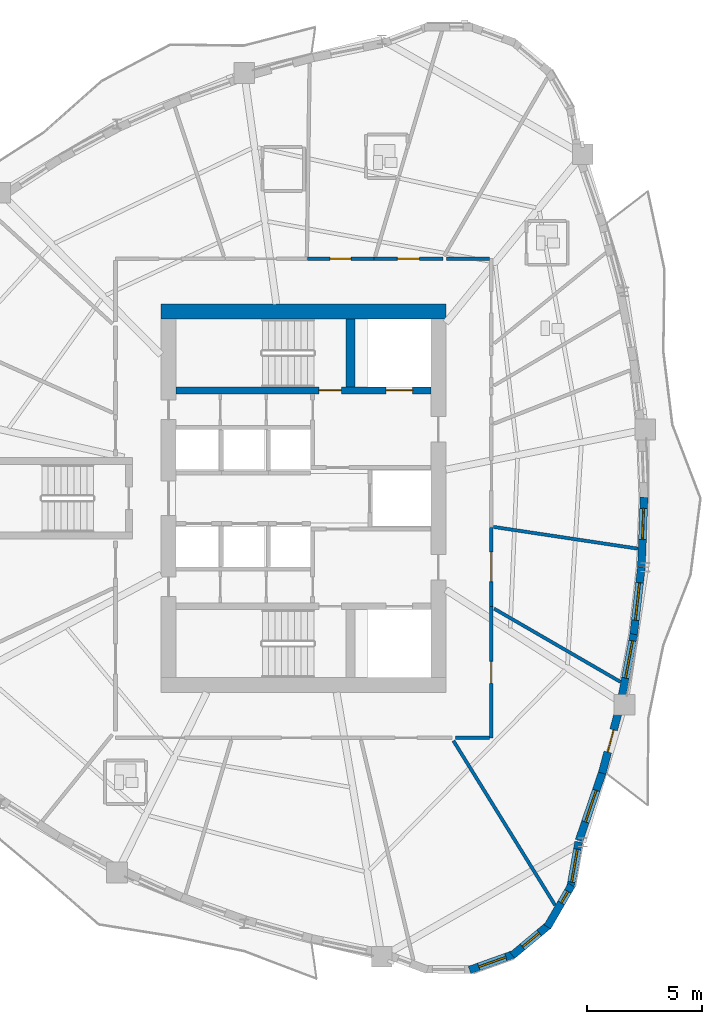
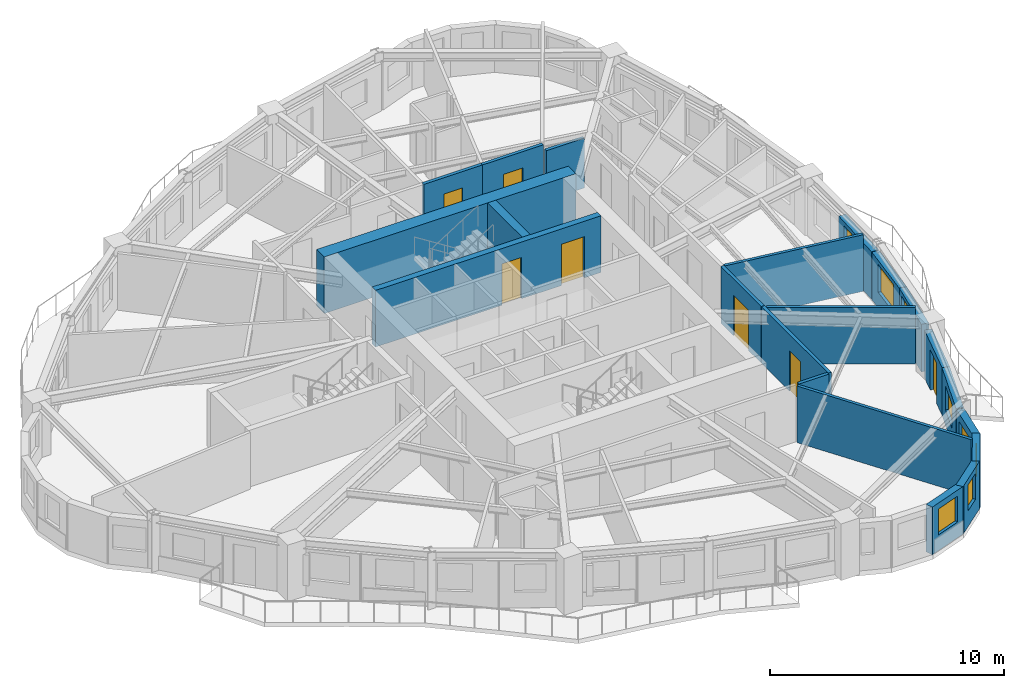
# One storey, part 6 of 12: 21 walls, 8 windows, 7 doors, 15 openings.
"""IFC4 building model written with IfcOpenShell, lengths in metres."""

from ifc_helpers import new_model, si_unit, direction, frame, frame_2d, origin, place, context, subcontext, project, spatial, rectangle, extrude, source, transform, mapped, material, layer, layer_set, type_object, element, fill, save


model = new_model("IFC4")

# Units and contexts
model_context = context("Model", 3, precision=1e-05, world=origin(), true_north=direction((0.0, 1.0)))
body_context = subcontext(model_context, "Body", "Model", "MODEL_VIEW")
ifc_project = project(units=[si_unit("LENGTHUNIT", "METRE"), si_unit("AREAUNIT", "SQUARE_METRE"), si_unit("VOLUMEUNIT", "CUBIC_METRE"), si_unit("PLANEANGLEUNIT", "RADIAN"), si_unit("MASSUNIT", "GRAM", prefix="KILO")], contexts=[model_context])

# Site, building, storey
site_placement = place(None, origin())
site = spatial("IfcSite", under=ifc_project, at=site_placement, CompositionType="ELEMENT")
building_placement = place(site_placement, origin())
building = spatial("IfcBuilding", under=site, at=building_placement, Name="Qafzar Sky-Pleat Residences", CompositionType="ELEMENT")
storey_placement = place(building_placement, frame((0.0, 0.0, 92.800048828125)))
storey = spatial("IfcBuildingStorey", under=building, at=storey_placement, Name="L27", CompositionType="ELEMENT", Elevation=92.800048828125)

# Wall, opening, door
ifc_material_1 = material(Name="Acoustic gypsum plasterboard partition", Category="gypsum")
ifc_layer_1 = layer(ifc_material_1, 0.159912109375)
ifc_layer_set_1 = layer_set([ifc_layer_1], Name="Acoustic gypsum plasterboard partition")
wall_type_1 = type_object("IfcWallType", Name="PART-COR-160", PredefinedType="PARTITIONING", material=ifc_layer_set_1)
wall_1_placement = place(storey_placement, frame((38.530029296875, 21.281005859375, 0.0), z_axis=(0.0, 0.0, 1.0), x_axis=(0.0, -1.0, 0.0)))
wall_1 = element("IfcWall", 1, at=wall_1_placement, inside=storey, type_object=wall_type_1, Name="L27 Partition Wall PART-L27-PW-002", PredefinedType="PARTITIONING", context=body_context, shape_type="SweptSolid", body=[
    extrude(rectangle(XDim=5.7109375, YDim=0.159912109375, at=frame_2d((2.85546875, 0.0))), origin(), (0.0, 0.0, 1.0), 2.949951171875),
])
opening_1_placement = place(wall_1_placement, frame((2.384033203125, 0.0, 0.0)))
opening_1 = element("IfcOpeningElement", 2, at=opening_1_placement, cuts=wall_1, Name="Opening ID-06", PredefinedType="OPENING", context=body_context, shape_type="SweptSolid", body=[
    extrude(rectangle(XDim=0.9599609375, YDim=2.10009765625, at=frame_2d((0.47998046875, 1.050048828125))), frame((0.0, 0.08984375, 0.0), z_axis=(0.0, -1.0, 0.0), x_axis=(1.0, 0.0, 0.0)), (0.0, 0.0, 1.0), 0.179931640625),
])
ifc_material_2 = material(Name="Timber-faced fire door", Category="wood")
door_type_1 = type_object("IfcDoorType", Name="DR-STD-960", OperationType="NOTDEFINED", PredefinedType="DOOR", material=ifc_material_2)
shared_shape_1 = source(origin(), body_context, "Body", "SweptSolid", [
    extrude(rectangle(XDim=0.9599609375, YDim=2.10009765625, at=frame_2d((0.47998046875, 1.050048828125))), frame((0.0, 0.02490234375, 0.0), z_axis=(0.0, -1.0, 0.0), x_axis=(1.0, 0.0, 0.0)), (0.0, 0.0, 1.0), 0.050048828125),
])
door_1_placement = place(opening_1_placement, origin())
door_1 = element("IfcDoor", 3, at=door_1_placement, inside=storey, type_object=door_type_1, Name="L27 Faculty Research Office Door", OperationType="SINGLE_SWING_RIGHT", OverallHeight=2.10009765625, OverallWidth=0.9599609375, PredefinedType="DOOR", context=body_context, shape_type="MappedRepresentation", body=[
    mapped(shared_shape_1, transform((0.0, 0.0, 0.0), x_axis=(1.0, 0.0, 0.0), y_axis=(0.0, 1.0, 0.0), z_axis=(0.0, 0.0, 1.0), scale=1.0)),
])
fill(opening_1, door_1)

wall_2_placement = place(storey_placement, frame((38.530029296875, 24.738037109375, 0.0), z_axis=(0.0, 0.0, 1.0), x_axis=(0.0, -1.0, 0.0)))
wall_2 = element("IfcWall", 4, at=wall_2_placement, inside=storey, type_object=wall_type_1, Name="L27 Partition Wall PART-L27-PW-011", PredefinedType="PARTITIONING", context=body_context, shape_type="SweptSolid", body=[
    extrude(rectangle(XDim=3.442138671875, YDim=0.159912109375, at=frame_2d((1.72119140625, 0.0))), origin(), (0.0, 0.0, 1.0), 2.949951171875),
])
opening_2_placement = place(wall_2_placement, frame((1.072021484375, 0.0, 0.0)))
opening_2 = element("IfcOpeningElement", 5, at=opening_2_placement, cuts=wall_2, Name="Opening ID-05", PredefinedType="OPENING", context=body_context, shape_type="SweptSolid", body=[
    extrude(rectangle(XDim=1.300048828125, YDim=2.10009765625, at=frame_2d((0.64990234375, 1.050048828125))), frame((0.0, 0.08984375, 0.0), z_axis=(0.0, -1.0, 0.0), x_axis=(1.0, 0.0, 0.0)), (0.0, 0.0, 1.0), 0.179931640625),
])
door_type_2 = type_object("IfcDoorType", Name="DR-LNG-1300", OperationType="DOUBLE_DOOR_SINGLE_SWING", PredefinedType="DOOR", material=ifc_material_2)
shared_shape_2 = source(origin(), body_context, "Body", "SweptSolid", [
    extrude(rectangle(XDim=1.300048828125, YDim=2.10009765625, at=frame_2d((0.64990234375, 1.050048828125))), frame((0.0, 0.02490234375, 0.0), z_axis=(0.0, -1.0, 0.0), x_axis=(1.0, 0.0, 0.0)), (0.0, 0.0, 1.0), 0.050048828125),
])
door_2_placement = place(opening_2_placement, origin())
door_2 = element("IfcDoor", 6, at=door_2_placement, inside=storey, type_object=door_type_2, Name="L27 Communal Kitchen Door", OperationType="DOUBLE_DOOR_SINGLE_SWING", OverallHeight=2.10009765625, OverallWidth=1.300048828125, PredefinedType="DOOR", context=body_context, shape_type="MappedRepresentation", body=[
    mapped(shared_shape_2, transform((0.0, 0.0, 0.0), x_axis=(1.0, 0.0, 0.0), y_axis=(0.0, 1.0, 0.0), z_axis=(0.0, 0.0, 1.0), scale=1.0)),
])
fill(opening_2, door_2)

wall_3_placement = place(storey_placement, frame((33.427978515625, 36.429931640625, 0.0), z_axis=(0.0, 0.0, 1.0), x_axis=(1.0, 0.0, 0.0)))
wall_3 = element("IfcWall", 7, at=wall_3_placement, inside=storey, type_object=wall_type_1, Name="L27 Partition Wall PART-L27-PW-012", PredefinedType="PARTITIONING", context=body_context, shape_type="SweptSolid", body=[
    extrude(rectangle(XDim=2.991943359375, YDim=0.159912109375, at=frame_2d((1.49609375, 0.0))), origin(), (0.0, 0.0, 1.0), 2.949951171875),
])
opening_3_placement = place(wall_3_placement, frame((1.015380859375, 0.0, 0.0)))
opening_3 = element("IfcOpeningElement", 8, at=opening_3_placement, cuts=wall_3, Name="Opening ID-06", PredefinedType="OPENING", context=body_context, shape_type="SweptSolid", body=[
    extrude(rectangle(XDim=0.9599609375, YDim=2.10009765625, at=frame_2d((0.47998046875, 1.050048828125))), frame((0.0, 0.08984375, 0.0), z_axis=(0.0, -1.0, 0.0), x_axis=(1.0, 0.0, 0.0)), (0.0, 0.0, 1.0), 0.179931640625),
])
door_3_placement = place(opening_3_placement, origin())
door_3 = element("IfcDoor", 9, at=door_3_placement, inside=storey, type_object=door_type_1, Name="L27 Reading Library Door", OperationType="SINGLE_SWING_LEFT", OverallHeight=2.10009765625, OverallWidth=0.9599609375, PredefinedType="DOOR", context=body_context, shape_type="MappedRepresentation", body=[
    mapped(shared_shape_1, transform((0.0, 0.0, 0.0), x_axis=(1.0, 0.0, 0.0), y_axis=(0.0, 1.0, 0.0), z_axis=(0.0, 0.0, 1.0), scale=1.0)),
])
fill(opening_3, door_3)

wall_4_placement = place(storey_placement, frame((30.529052734375, 36.429931640625, 0.0), z_axis=(0.0, 0.0, 1.0), x_axis=(1.0, 0.0, 0.0)))
wall_4 = element("IfcWall", 10, at=wall_4_placement, inside=storey, type_object=wall_type_1, Name="L27 Partition Wall PART-L27-PW-013", PredefinedType="PARTITIONING", context=body_context, shape_type="SweptSolid", body=[
    extrude(rectangle(XDim=2.884033203125, YDim=0.159912109375, at=frame_2d((1.44189453125, 0.0))), origin(), (0.0, 0.0, 1.0), 2.949951171875),
])
opening_4_placement = place(wall_4_placement, frame((0.982421875, 0.0, 0.0)))
opening_4 = element("IfcOpeningElement", 11, at=opening_4_placement, cuts=wall_4, Name="Opening ID-04", PredefinedType="OPENING", context=body_context, shape_type="SweptSolid", body=[
    extrude(rectangle(XDim=0.919921875, YDim=2.10009765625, at=frame_2d((0.4599609375, 1.050048828125))), frame((0.0, 0.08984375, 0.0), z_axis=(0.0, -1.0, 0.0), x_axis=(1.0, 0.0, 0.0)), (0.0, 0.0, 1.0), 0.179931640625),
])
door_type_3 = type_object("IfcDoorType", Name="DR-BED-920", OperationType="NOTDEFINED", PredefinedType="DOOR", material=ifc_material_2)
shared_shape_3 = source(origin(), body_context, "Body", "SweptSolid", [
    extrude(rectangle(XDim=0.919921875, YDim=2.10009765625, at=frame_2d((0.4599609375, 1.050048828125))), frame((0.0, 0.02490234375, 0.0), z_axis=(0.0, -1.0, 0.0), x_axis=(1.0, 0.0, 0.0)), (0.0, 0.0, 1.0), 0.050048828125),
])
door_4_placement = place(opening_4_placement, origin())
door_4 = element("IfcDoor", 12, at=door_4_placement, inside=storey, type_object=door_type_3, Name="L27 Co-Living Bedroom 3 Door", OperationType="SINGLE_SWING_RIGHT", OverallHeight=2.10009765625, OverallWidth=0.919921875, PredefinedType="DOOR", context=body_context, shape_type="MappedRepresentation", body=[
    mapped(shared_shape_3, transform((0.0, 0.0, 0.0), x_axis=(1.0, 0.0, 0.0), y_axis=(0.0, 1.0, 0.0), z_axis=(0.0, 0.0, 1.0), scale=1.0)),
])
fill(opening_4, door_4)

# Walls
wall_5_placement = place(storey_placement, frame((36.5732421875, 36.429931640625, 0.0), z_axis=(0.0, 0.0, 1.0), x_axis=(1.0, 0.0, 0.0)))
element("IfcWall", 13, at=wall_5_placement, inside=storey, type_object=wall_type_1, Name="L27 Partition Wall PART-L27-PW-041", PredefinedType="PARTITIONING", context=body_context, shape_type="SweptSolid", body=[
    extrude(rectangle(XDim=1.86865234375, YDim=0.159912109375, at=frame_2d((0.934326171875, 0.0))), origin(), (0.0, 0.0, 1.0), 2.587890625),
])
wall_6_placement = place(storey_placement, frame((36.976806640625, 15.570068359375, 0.0), z_axis=(0.0, 0.0, 1.0), x_axis=(1.0, 0.0, 0.0)))
element("IfcWall", 14, at=wall_6_placement, inside=storey, type_object=wall_type_1, Name="L27 Partition Wall PART-L27-PW-052", PredefinedType="PARTITIONING", context=body_context, shape_type="SweptSolid", body=[
    extrude(rectangle(XDim=1.465087890625, YDim=0.159912109375, at=frame_2d((0.732421875, 0.0))), origin(), (0.0, 0.0, 1.0), 2.949951171875),
])
ifc_layer_2 = layer(ifc_material_1, 0.14501953125)
ifc_layer_set_2 = layer_set([ifc_layer_2], Name="Acoustic gypsum plasterboard partition")
wall_type_2 = type_object("IfcWallType", Name="PART-UNIT-145", PredefinedType="PARTITIONING", material=ifc_layer_set_2)
wall_7_placement = place(storey_placement, frame((36.87841796875, 15.445068359375, 0.0), z_axis=(0.0, 0.0, 1.0), x_axis=(0.526001305793, -0.850483760165, 0.0)))
element("IfcWall", 15, at=wall_7_placement, inside=storey, type_object=wall_type_2, Name="L27 Partition Wall PART-L27-PW-026", PredefinedType="PARTITIONING", context=body_context, shape_type="SweptSolid", body=[
    extrude(rectangle(XDim=8.42236328125, YDim=0.14501953125, at=frame_2d((4.211181640625, 0.0))), origin(), (0.0, 0.0, 1.0), 2.949951171875),
])
wall_8_placement = place(storey_placement, frame((38.6533203125, 21.192626953125, 0.0), z_axis=(0.0, 0.0, 1.0), x_axis=(0.865364941279, -0.501142213753, 0.0)))
element("IfcWall", 16, at=wall_8_placement, inside=storey, type_object=wall_type_2, Name="L27 Partition Wall PART-L27-PW-034", PredefinedType="PARTITIONING", context=body_context, shape_type="SweptSolid", body=[
    extrude(rectangle(XDim=6.358642578125, YDim=0.14501953125, at=frame_2d((3.17919921875, 0.0))), origin(), (0.0, 0.0, 1.0), 2.949951171875),
])
wall_9_placement = place(storey_placement, frame((38.628662109375, 24.753173828125, 0.0), z_axis=(0.0, 0.0, 1.0), x_axis=(0.988841427723, -0.148971912852, 0.0)))
element("IfcWall", 17, at=wall_9_placement, inside=storey, type_object=wall_type_2, Name="L27 Partition Wall PART-L27-PW-035", PredefinedType="PARTITIONING", context=body_context, shape_type="SweptSolid", body=[
    extrude(rectangle(XDim=6.35205078125, YDim=0.14501953125, at=frame_2d((3.176025390625, 0.0))), origin(), (0.0, 0.0, 1.0), 2.949951171875),
])

# Wall, opening, window
ifc_material_3 = material(Name="Precast concrete C40/50 with honed Riyadh limestone", Category="concrete")
ifc_layer_3 = layer(ifc_material_3, 0.340087890625)
ifc_layer_set_3 = layer_set([ifc_layer_3], Name="Precast concrete C40/50 with honed Riyadh limestone")
wall_type_3 = type_object("IfcWallType", Name="WALL-EXT-340", PredefinedType="SOLIDWALL", material=ifc_layer_set_3)
wall_10_placement = place(storey_placement, frame((37.58447265625, 5.458251953125, 0.0), z_axis=(0.0, 0.0, 1.0), x_axis=(0.941473186867, 0.33708787936, 0.0)))
wall_10 = element("IfcWall", 18, at=wall_10_placement, inside=storey, type_object=wall_type_3, Name="L27 Limestone Facade Wall 19", PredefinedType="SOLIDWALL", context=body_context, shape_type="SweptSolid", body=[
    extrude(rectangle(XDim=2.098876953125, YDim=0.340087890625, at=frame_2d((1.04931640625, 0.0))), origin(), (0.0, 0.0, 1.0), 2.47998046875),
])
opening_5_placement = place(wall_10_placement, frame((0.424560546875, 0.0, 0.820068359375)))
opening_5 = element("IfcOpeningElement", 19, at=opening_5_placement, cuts=wall_10, Name="Opening WN-11", PredefinedType="OPENING", context=body_context, shape_type="SweptSolid", body=[
    extrude(rectangle(XDim=1.25, YDim=1.35009765625, at=frame_2d((0.625, 0.675048828125))), frame((0.0, 0.18017578125, 0.0), z_axis=(0.0, -1.0, 0.0), x_axis=(1.0, 0.0, 0.0)), (0.0, 0.0, 1.0), 0.360107421875),
])
ifc_material_4 = material(Name="Solar-control low-E glass in bronze aluminium frame", Category="glass")
window_type_1 = type_object("IfcWindowType", Name="WIN-11", PartitioningType="SINGLE_PANEL", PredefinedType="WINDOW", material=ifc_material_4)
shared_shape_4 = source(origin(), body_context, "Body", "SweptSolid", [
    extrude(rectangle(XDim=1.25, YDim=1.35009765625, at=frame_2d((0.625, 0.675048828125))), frame((0.0, 0.030029296875, 0.0), z_axis=(0.0, -1.0, 0.0), x_axis=(1.0, 0.0, 0.0)), (0.0, 0.0, 1.0), 0.06005859375),
])
window_1_placement = place(opening_5_placement, origin())
window_1 = element("IfcWindow", 20, at=window_1_placement, inside=storey, type_object=window_type_1, Name="L27 Punched Facade Window 19", OverallHeight=1.35009765625, OverallWidth=1.25, PartitioningType="SINGLE_PANEL", PredefinedType="WINDOW", context=body_context, shape_type="MappedRepresentation", body=[
    mapped(shared_shape_4, transform((0.0, 0.0, 0.0), x_axis=(1.0, 0.0, 0.0), y_axis=(0.0, 1.0, 0.0), z_axis=(0.0, 0.0, 1.0), scale=1.0)),
])
fill(opening_5, window_1)

wall_11_placement = place(storey_placement, frame((39.444091796875, 6.09912109375, 0.0), z_axis=(0.0, 0.0, 1.0), x_axis=(0.768497696041, 0.639852554249, 0.0)))
wall_11 = element("IfcWall", 21, at=wall_11_placement, inside=storey, type_object=wall_type_3, Name="L27 Limestone Facade Wall 20", PredefinedType="SOLIDWALL", context=body_context, shape_type="SweptSolid", body=[
    extrude(rectangle(XDim=2.098876953125, YDim=0.340087890625, at=frame_2d((1.04931640625, 0.0))), origin(), (0.0, 0.0, 1.0), 2.47998046875),
])
opening_6_placement = place(wall_11_placement, frame((0.574462890625, 0.0, 0.820068359375)))
opening_6 = element("IfcOpeningElement", 22, at=opening_6_placement, cuts=wall_11, Name="Opening WN-12", PredefinedType="OPENING", context=body_context, shape_type="SweptSolid", body=[
    extrude(rectangle(XDim=0.949951171875, YDim=1.35009765625, at=frame_2d((0.47509765625, 0.675048828125))), frame((0.0, 0.18017578125, 0.0), z_axis=(0.0, -1.0, 0.0), x_axis=(1.0, 0.0, 0.0)), (0.0, 0.0, 1.0), 0.360107421875),
])
window_type_2 = type_object("IfcWindowType", Name="WIN-12", PartitioningType="SINGLE_PANEL", PredefinedType="WINDOW", material=ifc_material_4)
shared_shape_5 = source(origin(), body_context, "Body", "SweptSolid", [
    extrude(rectangle(XDim=0.949951171875, YDim=1.35009765625, at=frame_2d((0.47509765625, 0.675048828125))), frame((0.0, 0.030029296875, 0.0), z_axis=(0.0, -1.0, 0.0), x_axis=(1.0, 0.0, 0.0)), (0.0, 0.0, 1.0), 0.06005859375),
])
window_2_placement = place(opening_6_placement, origin())
window_2 = element("IfcWindow", 23, at=window_2_placement, inside=storey, type_object=window_type_2, Name="L27 Punched Facade Window 20", OverallHeight=1.35009765625, OverallWidth=0.949951171875, PartitioningType="SINGLE_PANEL", PredefinedType="WINDOW", context=body_context, shape_type="MappedRepresentation", body=[
    mapped(shared_shape_5, transform((0.0, 0.0, 0.0), x_axis=(1.0, 0.0, 0.0), y_axis=(0.0, 1.0, 0.0), z_axis=(0.0, 0.0, 1.0), scale=1.0)),
])
fill(opening_6, window_2)

wall_12_placement = place(storey_placement, frame((40.970703125, 7.339599609375, 0.0), z_axis=(0.0, 0.0, 1.0), x_axis=(0.501902596059, 0.864924149315, 0.0)))
wall_12 = element("IfcWall", 24, at=wall_12_placement, inside=storey, type_object=wall_type_3, Name="L27 Limestone Facade Wall 21", PredefinedType="SOLIDWALL", context=body_context, shape_type="SweptSolid", body=[
    extrude(rectangle(XDim=2.098876953125, YDim=0.340087890625, at=frame_2d((1.04931640625, 0.0))), origin(), (0.0, 0.0, 1.0), 2.47998046875),
])
opening_7_placement = place(wall_12_placement, frame((1.206298828125, 0.0, 0.820068359375)))
opening_7 = element("IfcOpeningElement", 25, at=opening_7_placement, cuts=wall_12, Name="Opening WN-17", PredefinedType="OPENING", context=body_context, shape_type="SweptSolid", body=[
    extrude(rectangle(XDim=0.580078125, YDim=1.35009765625, at=frame_2d((0.2900390625, 0.675048828125))), frame((0.0, 0.18017578125, 0.0), z_axis=(0.0, -1.0, 0.0), x_axis=(1.0, 0.0, 0.0)), (0.0, 0.0, 1.0), 0.360107421875),
])
window_type_3 = type_object("IfcWindowType", Name="WIN-17", PartitioningType="SINGLE_PANEL", PredefinedType="WINDOW", material=ifc_material_4)
shared_shape_6 = source(origin(), body_context, "Body", "SweptSolid", [
    extrude(rectangle(XDim=0.580078125, YDim=1.35009765625, at=frame_2d((0.2900390625, 0.675048828125))), frame((0.0, 0.030029296875, 0.0), z_axis=(0.0, -1.0, 0.0), x_axis=(1.0, 0.0, 0.0)), (0.0, 0.0, 1.0), 0.06005859375),
])
window_3_placement = place(opening_7_placement, origin())
window_3 = element("IfcWindow", 26, at=window_3_placement, inside=storey, type_object=window_type_3, Name="L27 Punched Facade Window 21-2", OverallHeight=1.35009765625, OverallWidth=0.580078125, PartitioningType="SINGLE_PANEL", PredefinedType="WINDOW", context=body_context, shape_type="MappedRepresentation", body=[
    mapped(shared_shape_6, transform((0.0, 0.0, 0.0), x_axis=(1.0, 0.0, 0.0), y_axis=(0.0, 1.0, 0.0), z_axis=(0.0, 0.0, 1.0), scale=1.0)),
])
fill(opening_7, window_3)

wall_13_placement = place(storey_placement, frame((41.978271484375, 9.029052734375, 0.0), z_axis=(0.0, 0.0, 1.0), x_axis=(0.174283452483, 0.984695525627, 0.0)))
wall_13 = element("IfcWall", 27, at=wall_13_placement, inside=storey, type_object=wall_type_3, Name="L27 Limestone Facade Wall 22", PredefinedType="SOLIDWALL", context=body_context, shape_type="SweptSolid", body=[
    extrude(rectangle(XDim=2.041015625, YDim=0.340087890625, at=frame_2d((1.0205078125, 0.0))), origin(), (0.0, 0.0, 1.0), 2.47998046875),
])
opening_8_placement = place(wall_13_placement, frame((0.265380859375, 0.0, 0.820068359375)))
opening_8 = element("IfcOpeningElement", 28, at=opening_8_placement, cuts=wall_13, Name="Opening WN-15", PredefinedType="OPENING", context=body_context, shape_type="SweptSolid", body=[
    extrude(rectangle(XDim=1.449951171875, YDim=1.25, at=frame_2d((0.72509765625, 0.625))), frame((0.0, 0.18017578125, 0.0), z_axis=(0.0, -1.0, 0.0), x_axis=(1.0, 0.0, 0.0)), (0.0, 0.0, 1.0), 0.360107421875),
])
window_type_4 = type_object("IfcWindowType", Name="WIN-15", PartitioningType="SINGLE_PANEL", PredefinedType="WINDOW", material=ifc_material_4)
shared_shape_7 = source(origin(), body_context, "Body", "SweptSolid", [
    extrude(rectangle(XDim=1.449951171875, YDim=1.25, at=frame_2d((0.72509765625, 0.625))), frame((0.0, 0.030029296875, 0.0), z_axis=(0.0, -1.0, 0.0), x_axis=(1.0, 0.0, 0.0)), (0.0, 0.0, 1.0), 0.06005859375),
])
window_4_placement = place(opening_8_placement, origin())
window_4 = element("IfcWindow", 29, at=window_4_placement, inside=storey, type_object=window_type_4, Name="L27 Punched Facade Window 22", OverallHeight=1.25, OverallWidth=1.449951171875, PartitioningType="SINGLE_PANEL", PredefinedType="WINDOW", context=body_context, shape_type="MappedRepresentation", body=[
    mapped(shared_shape_7, transform((0.0, 0.0, 0.0), x_axis=(1.0, 0.0, 0.0), y_axis=(0.0, 1.0, 0.0), z_axis=(0.0, 0.0, 1.0), scale=1.0)),
])
fill(opening_8, window_4)

wall_14_placement = place(storey_placement, frame((42.3505859375, 11.102783203125, 0.0), z_axis=(0.0, 0.0, 1.0), x_axis=(0.323582854182, 0.946199839611, 0.0)))
wall_14 = element("IfcWall", 30, at=wall_14_placement, inside=storey, type_object=wall_type_3, Name="L27 Limestone Facade Wall 23", PredefinedType="SOLIDWALL", context=body_context, shape_type="SweptSolid", body=[
    extrude(rectangle(XDim=3.182373046875, YDim=0.340087890625, at=frame_2d((1.59130859375, 0.0))), origin(), (0.0, 0.0, 1.0), 2.47998046875),
])
opening_9_placement = place(wall_14_placement, frame((0.856201171875, 0.0, 0.820068359375)))
opening_9 = element("IfcOpeningElement", 31, at=opening_9_placement, cuts=wall_14, Name="Opening WN-15", PredefinedType="OPENING", context=body_context, shape_type="SweptSolid", body=[
    extrude(rectangle(XDim=1.449951171875, YDim=1.25, at=frame_2d((0.72509765625, 0.625))), frame((0.0, 0.18017578125, 0.0), z_axis=(0.0, -1.0, 0.0), x_axis=(1.0, 0.0, 0.0)), (0.0, 0.0, 1.0), 0.360107421875),
])
window_5_placement = place(opening_9_placement, origin())
window_5 = element("IfcWindow", 32, at=window_5_placement, inside=storey, type_object=window_type_4, Name="L27 Punched Facade Window 23", OverallHeight=1.25, OverallWidth=1.449951171875, PartitioningType="SINGLE_PANEL", PredefinedType="WINDOW", context=body_context, shape_type="MappedRepresentation", body=[
    mapped(shared_shape_7, transform((0.0, 0.0, 0.0), x_axis=(1.0, 0.0, 0.0), y_axis=(0.0, 1.0, 0.0), z_axis=(0.0, 0.0, 1.0), scale=1.0)),
])
fill(opening_9, window_5)

# Wall, opening, door
wall_15_placement = place(storey_placement, frame((43.35498046875, 14.030029296875, 0.0), z_axis=(0.0, 0.0, 1.0), x_axis=(0.257056088809, 0.96639648551, 0.0)))
wall_15 = element("IfcWall", 33, at=wall_15_placement, inside=storey, type_object=wall_type_3, Name="L27 Limestone Facade Wall 24", PredefinedType="SOLIDWALL", context=body_context, shape_type="SweptSolid", body=[
    extrude(rectangle(XDim=2.90625, YDim=0.340087890625, at=frame_2d((1.453125, 0.0))), origin(), (0.0, 0.0, 1.0), 2.47998046875),
])
opening_10_placement = place(wall_15_placement, frame((0.953125, 0.0, 0.0)))
opening_10 = element("IfcOpeningElement", 34, at=opening_10_placement, cuts=wall_15, Name="Opening ED-05", PredefinedType="OPENING", context=body_context, shape_type="SweptSolid", body=[
    extrude(rectangle(XDim=1.0, YDim=2.10009765625, at=frame_2d((0.5, 1.050048828125))), frame((0.0, 0.18017578125, 0.0), z_axis=(0.0, -1.0, 0.0), x_axis=(1.0, 0.0, 0.0)), (0.0, 0.0, 1.0), 0.360107421875),
])
ifc_material_5 = material(Name="Glazed bronze aluminium door", Category="aluminium")
door_type_4 = type_object("IfcDoorType", Name="DR-BAL-1000", OperationType="NOTDEFINED", PredefinedType="DOOR", material=ifc_material_5)
shared_shape_8 = source(origin(), body_context, "Body", "SweptSolid", [
    extrude(rectangle(XDim=1.0, YDim=2.10009765625, at=frame_2d((0.5, 1.050048828125))), frame((0.0, 0.02490234375, 0.0), z_axis=(0.0, -1.0, 0.0), x_axis=(1.0, 0.0, 0.0)), (0.0, 0.0, 1.0), 0.050048828125),
])
door_5_placement = place(opening_10_placement, origin())
door_5 = element("IfcDoor", 35, at=door_5_placement, inside=storey, type_object=door_type_4, Name="L27 Glazed Balcony Door 1", OperationType="SINGLE_SWING_LEFT", OverallHeight=2.10009765625, OverallWidth=1.0, PredefinedType="DOOR", context=body_context, shape_type="MappedRepresentation", body=[
    mapped(shared_shape_8, transform((0.0, 0.0, 0.0), x_axis=(1.0, 0.0, 0.0), y_axis=(0.0, 1.0, 0.0), z_axis=(0.0, 0.0, 1.0), scale=1.0)),
])
fill(opening_10, door_5)

# Wall, opening, window
wall_16_placement = place(storey_placement, frame((44.201416015625, 17.27490234375, 0.0), z_axis=(0.0, 0.0, 1.0), x_axis=(0.186703550023, 0.982416298933, 0.0)))
wall_16 = element("IfcWall", 36, at=wall_16_placement, inside=storey, type_object=wall_type_3, Name="L27 Limestone Facade Wall 25", PredefinedType="SOLIDWALL", context=body_context, shape_type="SweptSolid", body=[
    extrude(rectangle(XDim=2.85595703125, YDim=0.340087890625, at=frame_2d((1.427978515625, 0.0))), origin(), (0.0, 0.0, 1.0), 2.47998046875),
])
opening_11_placement = place(wall_16_placement, frame((0.9140625, 0.0, 0.820068359375)))
opening_11 = element("IfcOpeningElement", 37, at=opening_11_placement, cuts=wall_16, Name="Opening WN-02", PredefinedType="OPENING", context=body_context, shape_type="SweptSolid", body=[
    extrude(rectangle(XDim=1.64990234375, YDim=1.449951171875, at=frame_2d((0.824951171875, 0.72509765625))), frame((0.0, 0.18017578125, 0.0), z_axis=(0.0, -1.0, 0.0), x_axis=(1.0, 0.0, 0.0)), (0.0, 0.0, 1.0), 0.360107421875),
])
window_type_5 = type_object("IfcWindowType", Name="WIN-02", PartitioningType="DOUBLE_PANEL_VERTICAL", PredefinedType="WINDOW", material=ifc_material_4)
shared_shape_9 = source(origin(), body_context, "Body", "SweptSolid", [
    extrude(rectangle(XDim=1.64990234375, YDim=1.449951171875, at=frame_2d((0.824951171875, 0.72509765625))), frame((0.0, 0.030029296875, 0.0), z_axis=(0.0, -1.0, 0.0), x_axis=(1.0, 0.0, 0.0)), (0.0, 0.0, 1.0), 0.06005859375),
])
window_6_placement = place(opening_11_placement, origin())
window_6 = element("IfcWindow", 38, at=window_6_placement, inside=storey, type_object=window_type_5, Name="L27 Punched Facade Window 25-2", OverallHeight=1.449951171875, OverallWidth=1.64990234375, PartitioningType="SINGLE_PANEL", PredefinedType="WINDOW", context=body_context, shape_type="MappedRepresentation", body=[
    mapped(shared_shape_9, transform((0.0, 0.0, 0.0), x_axis=(1.0, 0.0, 0.0), y_axis=(0.0, 1.0, 0.0), z_axis=(0.0, 0.0, 1.0), scale=1.0)),
])
fill(opening_11, window_6)

wall_17_placement = place(storey_placement, frame((44.72119140625, 19.992919921875, 0.0), z_axis=(0.0, 0.0, 1.0), x_axis=(0.113224078967, 0.993569478165, 0.0)))
wall_17 = element("IfcWall", 39, at=wall_17_placement, inside=storey, type_object=wall_type_3, Name="L27 Limestone Facade Wall 26", PredefinedType="SOLIDWALL", context=body_context, shape_type="SweptSolid", body=[
    extrude(rectangle(XDim=3.03173828125, YDim=0.340087890625, at=frame_2d((1.515869140625, 0.0))), origin(), (0.0, 0.0, 1.0), 2.47998046875),
])
opening_12_placement = place(wall_17_placement, frame((0.70068359375, 0.0, 0.820068359375)))
opening_12 = element("IfcOpeningElement", 40, at=opening_12_placement, cuts=wall_17, Name="Opening WN-02", PredefinedType="OPENING", context=body_context, shape_type="SweptSolid", body=[
    extrude(rectangle(XDim=1.64990234375, YDim=1.449951171875, at=frame_2d((0.824951171875, 0.72509765625))), frame((0.0, 0.18017578125, 0.0), z_axis=(0.0, -1.0, 0.0), x_axis=(1.0, 0.0, 0.0)), (0.0, 0.0, 1.0), 0.360107421875),
])
window_7_placement = place(opening_12_placement, origin())
window_7 = element("IfcWindow", 41, at=window_7_placement, inside=storey, type_object=window_type_5, Name="L27 Punched Facade Window 26", OverallHeight=1.449951171875, OverallWidth=1.64990234375, PartitioningType="SINGLE_PANEL", PredefinedType="WINDOW", context=body_context, shape_type="MappedRepresentation", body=[
    mapped(shared_shape_9, transform((0.0, 0.0, 0.0), x_axis=(1.0, 0.0, 0.0), y_axis=(0.0, 1.0, 0.0), z_axis=(0.0, 0.0, 1.0), scale=1.0)),
])
fill(opening_12, window_7)

wall_18_placement = place(storey_placement, frame((45.066650390625, 23.0322265625, 0.0), z_axis=(0.0, 0.0, 1.0), x_axis=(0.037985210196, 0.999278301479, 0.0)))
wall_18 = element("IfcWall", 42, at=wall_18_placement, inside=storey, type_object=wall_type_3, Name="L27 Limestone Facade Wall 27", PredefinedType="SOLIDWALL", context=body_context, shape_type="SweptSolid", body=[
    extrude(rectangle(XDim=3.014404296875, YDim=0.340087890625, at=frame_2d((1.50732421875, 0.0))), origin(), (0.0, 0.0, 1.0), 2.47998046875),
])
opening_13_placement = place(wall_18_placement, frame((1.1748046875, 0.0, 0.820068359375)))
opening_13 = element("IfcOpeningElement", 43, at=opening_13_placement, cuts=wall_18, Name="Opening WN-04", PredefinedType="OPENING", context=body_context, shape_type="SweptSolid", body=[
    extrude(rectangle(XDim=1.35009765625, YDim=1.449951171875, at=frame_2d((0.675048828125, 0.72509765625))), frame((0.0, 0.18017578125, 0.0), z_axis=(0.0, -1.0, 0.0), x_axis=(1.0, 0.0, 0.0)), (0.0, 0.0, 1.0), 0.360107421875),
])
window_type_6 = type_object("IfcWindowType", Name="WIN-04", PartitioningType="SINGLE_PANEL", PredefinedType="WINDOW", material=ifc_material_4)
shared_shape_10 = source(origin(), body_context, "Body", "SweptSolid", [
    extrude(rectangle(XDim=1.35009765625, YDim=1.449951171875, at=frame_2d((0.675048828125, 0.72509765625))), frame((0.0, 0.030029296875, 0.0), z_axis=(0.0, -1.0, 0.0), x_axis=(1.0, 0.0, 0.0)), (0.0, 0.0, 1.0), 0.06005859375),
])
window_8_placement = place(opening_13_placement, origin())
window_8 = element("IfcWindow", 44, at=window_8_placement, inside=storey, type_object=window_type_6, Name="L27 Punched Facade Window 27-2", OverallHeight=1.449951171875, OverallWidth=1.35009765625, PartitioningType="SINGLE_PANEL", PredefinedType="WINDOW", context=body_context, shape_type="MappedRepresentation", body=[
    mapped(shared_shape_10, transform((0.0, 0.0, 0.0), x_axis=(1.0, 0.0, 0.0), y_axis=(0.0, 1.0, 0.0), z_axis=(0.0, 0.0, 1.0), scale=1.0)),
])
fill(opening_13, window_8)

# Wall, openings, doors
ifc_material_6 = material(Name="Concrete C60/75", Category="concrete")
ifc_layer_4 = layer(ifc_material_6, 0.300048828125)
ifc_layer_set_4 = layer_set([ifc_layer_4], Name="Concrete C60/75")
wall_type_4 = type_object("IfcWallType", Name="WALL-SHEAR-300", PredefinedType="SHEAR", material=ifc_layer_set_4)
wall_19_placement = place(storey_placement, frame((24.800048828125, 30.699951171875, 0.0), z_axis=(0.0, 0.0, 1.0), x_axis=(1.0, 0.0, 0.0)))
wall_19 = element("IfcWall", 45, at=wall_19_placement, inside=storey, type_object=wall_type_4, Name="L27 Stair ST2 and FF2 Shaft South Wall", PredefinedType="SHEAR", context=body_context, shape_type="SweptSolid", body=[
    extrude(rectangle(XDim=11.099853515625, YDim=0.300048828125, at=frame_2d((5.5498046875, 0.0))), origin(), (0.0, 0.0, 1.0), 2.949951171875),
])
opening_14_placement = place(wall_19_placement, frame((6.219970703125, 0.0, 0.0)))
opening_14 = element("IfcOpeningElement", 46, at=opening_14_placement, cuts=wall_19, Name="Opening ID-01", PredefinedType="OPENING", context=body_context, shape_type="SweptSolid", body=[
    extrude(rectangle(XDim=0.97998046875, YDim=2.14990234375, at=frame_2d((0.489990234375, 1.074951171875))), frame((0.0, 0.16015625, 0.0), z_axis=(0.0, -1.0, 0.0), x_axis=(1.0, 0.0, 0.0)), (0.0, 0.0, 1.0), 0.320068359375),
])
opening_15_placement = place(wall_19_placement, frame((9.14990234375, 0.0, 0.0)))
opening_15 = element("IfcOpeningElement", 47, at=opening_15_placement, cuts=wall_19, Name="Opening LD-02", PredefinedType="OPENING", context=body_context, shape_type="SweptSolid", body=[
    extrude(rectangle(XDim=1.14990234375, YDim=2.14990234375, at=frame_2d((0.574951171875, 1.074951171875))), frame((0.0, 0.16015625, 0.0), z_axis=(0.0, -1.0, 0.0), x_axis=(1.0, 0.0, 0.0)), (0.0, 0.0, 1.0), 0.320068359375),
])
door_type_5 = type_object("IfcDoorType", Name="DR-STAIR-980", OperationType="NOTDEFINED", PredefinedType="DOOR", material=ifc_material_2)
shared_shape_11 = source(origin(), body_context, "Body", "SweptSolid", [
    extrude(rectangle(XDim=0.97998046875, YDim=2.14990234375, at=frame_2d((0.489990234375, 1.074951171875))), frame((0.0, 0.02490234375, 0.0), z_axis=(0.0, -1.0, 0.0), x_axis=(1.0, 0.0, 0.0)), (0.0, 0.0, 1.0), 0.050048828125),
])
door_6_placement = place(opening_14_placement, origin())
door_6 = element("IfcDoor", 48, at=door_6_placement, inside=storey, type_object=door_type_5, Name="L27 Stair ST2 Fire Door", OperationType="SINGLE_SWING_RIGHT", OverallHeight=2.14990234375, OverallWidth=0.97998046875, PredefinedType="DOOR", context=body_context, shape_type="MappedRepresentation", body=[
    mapped(shared_shape_11, transform((0.0, 0.0, 0.0), x_axis=(1.0, 0.0, 0.0), y_axis=(0.0, 1.0, 0.0), z_axis=(0.0, 0.0, 1.0), scale=1.0)),
])
fill(opening_14, door_6)
ifc_material_7 = material(Name="Stainless steel sliding landing door", Category="steel")
door_type_6 = type_object("IfcDoorType", Name="DR-LIFT-FF", OperationType="DOUBLE_DOOR_SLIDING", PredefinedType="DOOR", material=ifc_material_7)
shared_shape_12 = source(origin(), body_context, "Body", "SweptSolid", [
    extrude(rectangle(XDim=1.14990234375, YDim=2.14990234375, at=frame_2d((0.574951171875, 1.074951171875))), frame((0.0, 0.02490234375, 0.0), z_axis=(0.0, -1.0, 0.0), x_axis=(1.0, 0.0, 0.0)), (0.0, 0.0, 1.0), 0.050048828125),
])
door_7_placement = place(opening_15_placement, origin())
door_7 = element("IfcDoor", 49, at=door_7_placement, inside=storey, type_object=door_type_6, Name="L27 Firefighting Lift FF2 Landing Door", OperationType="DOUBLE_DOOR_SLIDING", OverallHeight=2.14990234375, OverallWidth=1.14990234375, PredefinedType="DOOR", context=body_context, shape_type="MappedRepresentation", body=[
    mapped(shared_shape_12, transform((0.0, 0.0, 0.0), x_axis=(1.0, 0.0, 0.0), y_axis=(0.0, 1.0, 0.0), z_axis=(0.0, 0.0, 1.0), scale=1.0)),
])
fill(opening_15, door_7)

# Walls
ifc_layer_5 = layer(ifc_material_6, 0.39990234375)
ifc_layer_set_5 = layer_set([ifc_layer_5], Name="Concrete C60/75")
wall_type_5 = type_object("IfcWallType", Name="WALL-SHEAR-400", PredefinedType="SHEAR", material=ifc_layer_set_5)
wall_20_placement = place(storey_placement, frame((32.39990234375, 30.85009765625, 0.0), z_axis=(0.0, 0.0, 1.0), x_axis=(0.0, 1.0, 0.0)))
element("IfcWall", 50, at=wall_20_placement, inside=storey, type_object=wall_type_5, Name="L27 Stair ST2 East Dividing Wall", PredefinedType="SHEAR", context=body_context, shape_type="SweptSolid", body=[
    extrude(rectangle(XDim=2.949951171875, YDim=0.39990234375, at=frame_2d((1.47509765625, 0.0))), origin(), (0.0, 0.0, 1.0), 2.949951171875),
])
ifc_layer_6 = layer(ifc_material_6, 0.64990234375)
ifc_layer_set_6 = layer_set([ifc_layer_6], Name="Concrete C60/75")
wall_type_6 = type_object("IfcWallType", Name="WALL-SHEAR-650", PredefinedType="SHEAR", material=ifc_layer_set_6)
wall_21_placement = place(storey_placement, frame((36.550048828125, 34.125, 0.0), z_axis=(0.0, 0.0, 1.0), x_axis=(-1.0, 0.0, 0.0)))
element("IfcWall", 51, at=wall_21_placement, inside=storey, type_object=wall_type_6, Name="L27 CORE wall N", PredefinedType="SHEAR", context=body_context, shape_type="SweptSolid", body=[
    extrude(rectangle(XDim=12.400146484375, YDim=0.64990234375, at=frame_2d((6.2001953125, 0.0))), origin(), (0.0, 0.0, 1.0), 2.949951171875),
])

save(model, "model.ifc")
